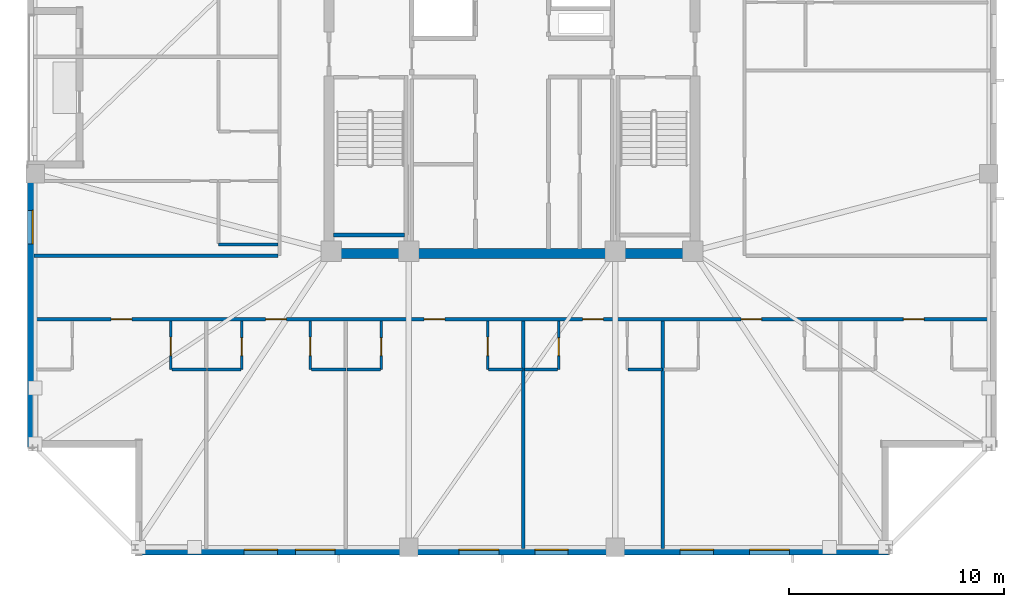
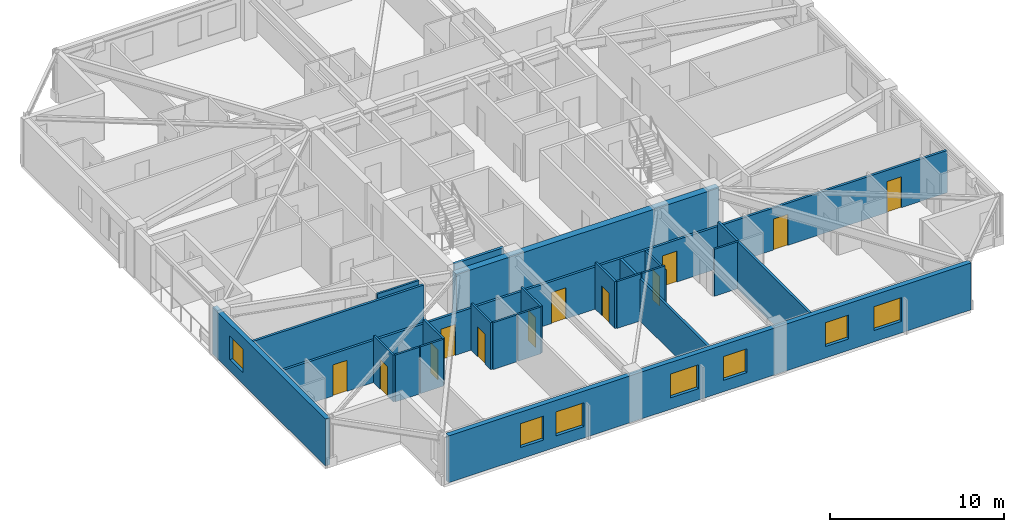
# One storey, part 7 of 17: 22 walls, 12 doors, 7 windows, 19 openings.
"""IFC4 building model written with IfcOpenShell, lengths in metres."""

from ifc_helpers import new_model, si_unit, direction, frame, frame_2d, origin, place, context, subcontext, project, spatial, rectangle, extrude, material, layer, layer_set, type_object, element, fill, save


model = new_model("IFC4")

# Units and contexts
model_context = context("Model", 3, precision=1e-05, world=origin(), true_north=direction((0.0, 1.0)))
body_context = subcontext(model_context, "Body", "Model", "MODEL_VIEW")
ifc_project = project(units=[si_unit("LENGTHUNIT", "METRE"), si_unit("AREAUNIT", "SQUARE_METRE"), si_unit("VOLUMEUNIT", "CUBIC_METRE"), si_unit("PLANEANGLEUNIT", "RADIAN"), si_unit("MASSUNIT", "GRAM", prefix="KILO")], contexts=[model_context])

# Site, building, storey
site_placement = place(None, origin())
site = spatial("IfcSite", under=ifc_project, at=site_placement, CompositionType="ELEMENT")
building_placement = place(site_placement, origin())
building = spatial("IfcBuilding", under=site, at=building_placement, Name="Cairnveth Concourse Tower", CompositionType="ELEMENT")
storey_placement = place(building_placement, frame((0.0, 0.0, 237.5)))
storey = spatial("IfcBuildingStorey", under=building, at=storey_placement, Name="L65", CompositionType="ELEMENT", Elevation=237.5)

# Wall, openings, doors
ifc_material_1 = material(Name="Gypsum Plasterboard Partition", Category="gypsum")
ifc_layer_1 = layer(ifc_material_1, 0.159912109375)
ifc_layer_set_1 = layer_set([ifc_layer_1], Name="Gypsum Plasterboard Partition")
wall_type_1 = type_object("IfcWallType", Name="ACOUSTIC PARTY WALL 180", PredefinedType="PARTITIONING", material=ifc_layer_set_1)
wall_1_placement = place(storey_placement, frame((29.804931640625, 27.4423828125, 0.0), z_axis=(0.0, 0.0, 1.0), x_axis=(1.0, 0.0, 0.0)))
wall_1 = element("IfcWall", 1, at=wall_1_placement, inside=storey, type_object=wall_type_1, Name="Interior Wall IW-L65-036", PredefinedType="PARTITIONING", context=body_context, shape_type="SweptSolid", body=[
    extrude(rectangle(XDim=44.39013671875, YDim=0.159912109375, at=frame_2d((22.195068359375, 0.0))), origin(), (0.0, 0.0, 1.0), 2.9580078125),
])
opening_1_placement = place(wall_1_placement, frame((3.574951171875, 0.0, 0.0)))
opening_1 = element("IfcOpeningElement", 2, at=opening_1_placement, cuts=wall_1, Name="Opening ID10", PredefinedType="OPENING", context=body_context, shape_type="SweptSolid", body=[
    extrude(rectangle(XDim=0.9599609375, YDim=2.179931640625, at=frame_2d((0.47998046875, 1.08984375))), frame((0.0, 0.08984375, 0.0), z_axis=(0.0, -1.0, 0.0), x_axis=(1.0, 0.0, 0.0)), (0.0, 0.0, 1.0), 0.179931640625),
])
opening_2_placement = place(wall_1_placement, frame((10.7548828125, 0.0, 0.0)))
opening_2 = element("IfcOpeningElement", 3, at=opening_2_placement, cuts=wall_1, Name="Opening ID10", PredefinedType="OPENING", context=body_context, shape_type="SweptSolid", body=[
    extrude(rectangle(XDim=0.9599609375, YDim=2.179931640625, at=frame_2d((0.47998046875, 1.08984375))), frame((0.0, 0.08984375, 0.0), z_axis=(0.0, -1.0, 0.0), x_axis=(1.0, 0.0, 0.0)), (0.0, 0.0, 1.0), 0.179931640625),
])
opening_3_placement = place(wall_1_placement, frame((18.114990234375, 0.0, 0.0)))
opening_3 = element("IfcOpeningElement", 4, at=opening_3_placement, cuts=wall_1, Name="Opening ID10", PredefinedType="OPENING", context=body_context, shape_type="SweptSolid", body=[
    extrude(rectangle(XDim=0.9599609375, YDim=2.179931640625, at=frame_2d((0.47998046875, 1.08984375))), frame((0.0, 0.08984375, 0.0), z_axis=(0.0, -1.0, 0.0), x_axis=(1.0, 0.0, 0.0)), (0.0, 0.0, 1.0), 0.179931640625),
])
opening_4_placement = place(wall_1_placement, frame((25.47509765625, 0.0, 0.0)))
opening_4 = element("IfcOpeningElement", 5, at=opening_4_placement, cuts=wall_1, Name="Opening ID10", PredefinedType="OPENING", context=body_context, shape_type="SweptSolid", body=[
    extrude(rectangle(XDim=0.9599609375, YDim=2.179931640625, at=frame_2d((0.47998046875, 1.08984375))), frame((0.0, 0.08984375, 0.0), z_axis=(0.0, -1.0, 0.0), x_axis=(1.0, 0.0, 0.0)), (0.0, 0.0, 1.0), 0.179931640625),
])
opening_5_placement = place(wall_1_placement, frame((32.8349609375, 0.0, 0.0)))
opening_5 = element("IfcOpeningElement", 6, at=opening_5_placement, cuts=wall_1, Name="Opening ID10", PredefinedType="OPENING", context=body_context, shape_type="SweptSolid", body=[
    extrude(rectangle(XDim=0.9599609375, YDim=2.179931640625, at=frame_2d((0.47998046875, 1.08984375))), frame((0.0, 0.08984375, 0.0), z_axis=(0.0, -1.0, 0.0), x_axis=(1.0, 0.0, 0.0)), (0.0, 0.0, 1.0), 0.179931640625),
])
opening_6_placement = place(wall_1_placement, frame((40.375, 0.0, 0.0)))
opening_6 = element("IfcOpeningElement", 7, at=opening_6_placement, cuts=wall_1, Name="Opening ID10", PredefinedType="OPENING", context=body_context, shape_type="SweptSolid", body=[
    extrude(rectangle(XDim=0.9599609375, YDim=2.179931640625, at=frame_2d((0.47998046875, 1.08984375))), frame((0.0, 0.08984375, 0.0), z_axis=(0.0, -1.0, 0.0), x_axis=(1.0, 0.0, 0.0)), (0.0, 0.0, 1.0), 0.179931640625),
])
ifc_material_2 = material(Name="Solid Core Hardwood Timber Leaf", Category="wood")
door_type_1 = type_object("IfcDoorType", Name="FLAT ENTRANCE DOOR 960X2150", OperationType="NOTDEFINED", PredefinedType="DOOR", material=ifc_material_2)
door_1_placement = place(opening_1_placement, origin())
door_1 = element("IfcDoor", 8, at=door_1_placement, inside=storey, type_object=door_type_1, Name="Studio L65STS1 Entrance Door", OperationType="SINGLE_SWING_LEFT", OverallHeight=2.179931640625, OverallWidth=0.9599609375, PredefinedType="DOOR", context=body_context, shape_type="SweptSolid", body=[
    extrude(rectangle(XDim=0.9599609375, YDim=2.179931640625, at=frame_2d((0.47998046875, 1.08984375))), frame((0.0, 0.02490234375, 0.0), z_axis=(0.0, -1.0, 0.0), x_axis=(1.0, 0.0, 0.0)), (0.0, 0.0, 1.0), 0.050048828125),
])
fill(opening_1, door_1)
door_2_placement = place(opening_2_placement, origin())
door_2 = element("IfcDoor", 9, at=door_2_placement, inside=storey, type_object=door_type_1, Name="Studio L65STS2 Entrance Door", OperationType="SINGLE_SWING_RIGHT", OverallHeight=2.179931640625, OverallWidth=0.9599609375, PredefinedType="DOOR", context=body_context, shape_type="SweptSolid", body=[
    extrude(rectangle(XDim=0.9599609375, YDim=2.179931640625, at=frame_2d((0.47998046875, 1.08984375))), frame((0.0, 0.02490234375, 0.0), z_axis=(0.0, -1.0, 0.0), x_axis=(1.0, 0.0, 0.0)), (0.0, 0.0, 1.0), 0.050048828125),
])
fill(opening_2, door_2)
door_3_placement = place(opening_3_placement, origin())
door_3 = element("IfcDoor", 10, at=door_3_placement, inside=storey, type_object=door_type_1, Name="Studio L65STS3 Entrance Door", OperationType="SINGLE_SWING_LEFT", OverallHeight=2.179931640625, OverallWidth=0.9599609375, PredefinedType="DOOR", context=body_context, shape_type="SweptSolid", body=[
    extrude(rectangle(XDim=0.9599609375, YDim=2.179931640625, at=frame_2d((0.47998046875, 1.08984375))), frame((0.0, 0.02490234375, 0.0), z_axis=(0.0, -1.0, 0.0), x_axis=(1.0, 0.0, 0.0)), (0.0, 0.0, 1.0), 0.050048828125),
])
fill(opening_3, door_3)
door_4_placement = place(opening_4_placement, origin())
door_4 = element("IfcDoor", 11, at=door_4_placement, inside=storey, type_object=door_type_1, Name="Studio L65STS4 Entrance Door", OperationType="SINGLE_SWING_RIGHT", OverallHeight=2.179931640625, OverallWidth=0.9599609375, PredefinedType="DOOR", context=body_context, shape_type="SweptSolid", body=[
    extrude(rectangle(XDim=0.9599609375, YDim=2.179931640625, at=frame_2d((0.47998046875, 1.08984375))), frame((0.0, 0.02490234375, 0.0), z_axis=(0.0, -1.0, 0.0), x_axis=(1.0, 0.0, 0.0)), (0.0, 0.0, 1.0), 0.050048828125),
])
fill(opening_4, door_4)
door_5_placement = place(opening_5_placement, origin())
door_5 = element("IfcDoor", 12, at=door_5_placement, inside=storey, type_object=door_type_1, Name="Studio L65STS5 Entrance Door", OperationType="SINGLE_SWING_LEFT", OverallHeight=2.179931640625, OverallWidth=0.9599609375, PredefinedType="DOOR", context=body_context, shape_type="SweptSolid", body=[
    extrude(rectangle(XDim=0.9599609375, YDim=2.179931640625, at=frame_2d((0.47998046875, 1.08984375))), frame((0.0, 0.02490234375, 0.0), z_axis=(0.0, -1.0, 0.0), x_axis=(1.0, 0.0, 0.0)), (0.0, 0.0, 1.0), 0.050048828125),
])
fill(opening_5, door_5)
door_6_placement = place(opening_6_placement, origin())
door_6 = element("IfcDoor", 13, at=door_6_placement, inside=storey, type_object=door_type_1, Name="Studio L65STS6 Entrance Door", OperationType="SINGLE_SWING_RIGHT", OverallHeight=2.179931640625, OverallWidth=0.9599609375, PredefinedType="DOOR", context=body_context, shape_type="SweptSolid", body=[
    extrude(rectangle(XDim=0.9599609375, YDim=2.179931640625, at=frame_2d((0.47998046875, 1.08984375))), frame((0.0, 0.02490234375, 0.0), z_axis=(0.0, -1.0, 0.0), x_axis=(1.0, 0.0, 0.0)), (0.0, 0.0, 1.0), 0.050048828125),
])
fill(opening_6, door_6)

# Walls
wall_2_placement = place(storey_placement, frame((29.804931640625, 30.39990234375, 0.0), z_axis=(0.0, 0.0, 1.0), x_axis=(1.0, 0.0, 0.0)))
element("IfcWall", 14, at=wall_2_placement, inside=storey, type_object=wall_type_1, Name="Interior Wall IW-L65-040", PredefinedType="PARTITIONING", context=body_context, shape_type="SweptSolid", body=[
    extrude(rectangle(XDim=11.330078125, YDim=0.159912109375, at=frame_2d((5.6650390625, 0.0))), origin(), (0.0, 0.0, 1.0), 3.2900390625),
])
wall_3_placement = place(storey_placement, frame((52.52001953125, 16.804931640625, 0.0), z_axis=(0.0, 0.0, 1.0), x_axis=(0.0, 1.0, 0.0)))
element("IfcWall", 15, at=wall_3_placement, inside=storey, type_object=wall_type_1, Name="Interior Wall IW-L65-058", PredefinedType="PARTITIONING", context=body_context, shape_type="SweptSolid", body=[
    extrude(rectangle(XDim=10.5576171875, YDim=0.159912109375, at=frame_2d((5.27880859375, 0.0))), origin(), (0.0, 0.0, 1.0), 2.9580078125),
])
wall_4_placement = place(storey_placement, frame((59.0, 16.804931640625, 0.0), z_axis=(0.0, 0.0, 1.0), x_axis=(0.0, 1.0, 0.0)))
element("IfcWall", 16, at=wall_4_placement, inside=storey, type_object=wall_type_1, Name="Interior Wall IW-L65-063", PredefinedType="PARTITIONING", context=body_context, shape_type="SweptSolid", body=[
    extrude(rectangle(XDim=10.5576171875, YDim=0.159912109375, at=frame_2d((5.27880859375, 0.0))), origin(), (0.0, 0.0, 1.0), 3.2900390625),
])
ifc_material_3 = material(Name="Concrete N65 (65 MPa)", Category="concrete")
ifc_layer_2 = layer(ifc_material_3, 0.449951171875)
ifc_layer_set_2 = layer_set([ifc_layer_2], Name="Concrete N65 (65 MPa)")
wall_type_2 = type_object("IfcWallType", Name="CORE SHEAR WALL 450", PredefinedType="SHEAR", material=ifc_layer_set_2)
wall_5_placement = place(storey_placement, frame((43.27490234375, 30.5, 0.0), z_axis=(0.0, 0.0, 1.0), x_axis=(1.0, 0.0, 0.0)))
element("IfcWall", 17, at=wall_5_placement, inside=storey, type_object=wall_type_2, Name="Core South Shear Wall L65", PredefinedType="SHEAR", context=body_context, shape_type="SweptSolid", body=[
    extrude(rectangle(XDim=17.4501953125, YDim=0.449951171875, at=frame_2d((8.72509765625, 0.0))), origin(), (0.0, 0.0, 1.0), 3.2900390625),
])
ifc_material_4 = material(Name="Concrete N50 (50 MPa)", Category="concrete")
ifc_layer_3 = layer(ifc_material_4, 0.179931640625)
ifc_layer_set_3 = layer_set([ifc_layer_3], Name="Concrete N50 (50 MPa)")
wall_type_3 = type_object("IfcWallType", Name="FIRE SHAFT WALL 180", PredefinedType="SOLIDWALL", material=ifc_layer_set_3)
wall_6_placement = place(storey_placement, frame((43.715087890625, 31.360107421875, 0.0), z_axis=(0.0, 0.0, 1.0), x_axis=(1.0, 0.0, 0.0)))
element("IfcWall", 18, at=wall_6_placement, inside=storey, type_object=wall_type_3, Name="Stair ST-1 Shaft Wall FAR L65", PredefinedType="SOLIDWALL", context=body_context, shape_type="SweptSolid", body=[
    extrude(rectangle(XDim=3.280029296875, YDim=0.179931640625, at=frame_2d((1.64013671875, 0.0))), origin(), (0.0, 0.0, 1.0), 3.2900390625),
])

# Wall, opening, door
ifc_layer_4 = layer(ifc_material_1, 0.1298828125)
ifc_layer_set_4 = layer_set([ifc_layer_4], Name="Gypsum Plasterboard Partition")
wall_type_4 = type_object("IfcWallType", Name="WET AREA PARTITION 140", PredefinedType="PLUMBINGWALL", material=ifc_layer_set_4)
wall_7_placement = place(storey_placement, frame((36.14990234375, 25.112548828125, 0.0), z_axis=(0.0, 0.0, 1.0), x_axis=(0.0, 1.0, 0.0)))
wall_7 = element("IfcWall", 19, at=wall_7_placement, inside=storey, type_object=wall_type_4, Name="Interior Wall IW-L65-046", PredefinedType="PLUMBINGWALL", context=body_context, shape_type="SweptSolid", body=[
    extrude(rectangle(XDim=2.25, YDim=0.1298828125, at=frame_2d((1.125, 0.0))), origin(), (0.0, 0.0, 1.0), 3.2900390625),
])
opening_7_placement = place(wall_7_placement, frame((0.64990234375, 0.0, 0.0)))
opening_7 = element("IfcOpeningElement", 20, at=opening_7_placement, cuts=wall_7, Name="Opening ID20", PredefinedType="OPENING", context=body_context, shape_type="SweptSolid", body=[
    extrude(rectangle(XDim=0.85009765625, YDim=2.10009765625, at=frame_2d((0.425048828125, 1.050048828125))), frame((0.0, 0.074951171875, 0.0), z_axis=(0.0, -1.0, 0.0), x_axis=(1.0, 0.0, 0.0)), (0.0, 0.0, 1.0), 0.14990234375),
])
door_type_2 = type_object("IfcDoorType", Name="INTERIOR SINGLE DOOR 850X2100", OperationType="NOTDEFINED", PredefinedType="DOOR", material=ifc_material_2)
door_7_placement = place(opening_7_placement, origin())
door_7 = element("IfcDoor", 21, at=door_7_placement, inside=storey, type_object=door_type_2, Name="L65STS1 Kitchen Door", OperationType="SINGLE_SWING_RIGHT", OverallHeight=2.10009765625, OverallWidth=0.85009765625, PredefinedType="DOOR", context=body_context, shape_type="SweptSolid", body=[
    extrude(rectangle(XDim=0.85009765625, YDim=2.10009765625, at=frame_2d((0.425048828125, 1.050048828125))), frame((0.0, 0.02490234375, 0.0), z_axis=(0.0, -1.0, 0.0), x_axis=(1.0, 0.0, 0.0)), (0.0, 0.0, 1.0), 0.050048828125),
])
fill(opening_7, door_7)

# Wall
wall_8_placement = place(storey_placement, frame((36.199951171875, 25.112548828125, 0.0), z_axis=(0.0, 0.0, 1.0), x_axis=(1.0, 0.0, 0.0)))
element("IfcWall", 22, at=wall_8_placement, inside=storey, type_object=wall_type_4, Name="Interior Wall IW-L65-047", PredefinedType="PLUMBINGWALL", context=body_context, shape_type="SweptSolid", body=[
    extrude(rectangle(XDim=1.60009765625, YDim=0.1298828125, at=frame_2d((0.800048828125, 0.0))), origin(), (0.0, 0.0, 1.0), 3.2900390625),
])

# Wall, opening, door
wall_9_placement = place(storey_placement, frame((39.449951171875, 25.112548828125, 0.0), z_axis=(0.0, 0.0, 1.0), x_axis=(0.0, 1.0, 0.0)))
wall_9 = element("IfcWall", 23, at=wall_9_placement, inside=storey, type_object=wall_type_4, Name="Interior Wall IW-L65-049", PredefinedType="PLUMBINGWALL", context=body_context, shape_type="SweptSolid", body=[
    extrude(rectangle(XDim=2.25, YDim=0.1298828125, at=frame_2d((1.125, 0.0))), origin(), (0.0, 0.0, 1.0), 3.2900390625),
])
opening_8_placement = place(wall_9_placement, frame((0.64990234375, 0.0, 0.0)))
opening_8 = element("IfcOpeningElement", 24, at=opening_8_placement, cuts=wall_9, Name="Opening ID22", PredefinedType="OPENING", context=body_context, shape_type="SweptSolid", body=[
    extrude(rectangle(XDim=0.820068359375, YDim=2.10009765625, at=frame_2d((0.41015625, 1.050048828125))), frame((0.0, 0.074951171875, 0.0), z_axis=(0.0, -1.0, 0.0), x_axis=(1.0, 0.0, 0.0)), (0.0, 0.0, 1.0), 0.14990234375),
])
door_type_3 = type_object("IfcDoorType", Name="INTERIOR WC DOOR 820X2100", OperationType="NOTDEFINED", PredefinedType="DOOR", material=ifc_material_2)
door_8_placement = place(opening_8_placement, origin())
door_8 = element("IfcDoor", 25, at=door_8_placement, inside=storey, type_object=door_type_3, Name="L65STS2 Bathroom Door", OperationType="SINGLE_SWING_RIGHT", OverallHeight=2.10009765625, OverallWidth=0.820068359375, PredefinedType="DOOR", context=body_context, shape_type="SweptSolid", body=[
    extrude(rectangle(XDim=0.820068359375, YDim=2.10009765625, at=frame_2d((0.41015625, 1.050048828125))), frame((0.0, 0.02490234375, 0.0), z_axis=(0.0, -1.0, 0.0), x_axis=(1.0, 0.0, 0.0)), (0.0, 0.0, 1.0), 0.050048828125),
])
fill(opening_8, door_8)

# Wall
wall_10_placement = place(storey_placement, frame((37.864990234375, 25.112548828125, 0.0), z_axis=(0.0, 0.0, 1.0), x_axis=(1.0, 0.0, 0.0)))
element("IfcWall", 26, at=wall_10_placement, inside=storey, type_object=wall_type_4, Name="Interior Wall IW-L65-050", PredefinedType="PLUMBINGWALL", context=body_context, shape_type="SweptSolid", body=[
    extrude(rectangle(XDim=1.534912109375, YDim=0.1298828125, at=frame_2d((0.767578125, 0.0))), origin(), (0.0, 0.0, 1.0), 3.2900390625),
])

# Wall, opening, door
wall_11_placement = place(storey_placement, frame((42.6298828125, 25.112548828125, 0.0), z_axis=(0.0, 0.0, 1.0), x_axis=(0.0, 1.0, 0.0)))
wall_11 = element("IfcWall", 27, at=wall_11_placement, inside=storey, type_object=wall_type_4, Name="Interior Wall IW-L65-051", PredefinedType="PLUMBINGWALL", context=body_context, shape_type="SweptSolid", body=[
    extrude(rectangle(XDim=2.25, YDim=0.1298828125, at=frame_2d((1.125, 0.0))), origin(), (0.0, 0.0, 1.0), 3.2900390625),
])
opening_9_placement = place(wall_11_placement, frame((0.64990234375, 0.0, 0.0)))
opening_9 = element("IfcOpeningElement", 28, at=opening_9_placement, cuts=wall_11, Name="Opening ID20", PredefinedType="OPENING", context=body_context, shape_type="SweptSolid", body=[
    extrude(rectangle(XDim=0.85009765625, YDim=2.10009765625, at=frame_2d((0.425048828125, 1.050048828125))), frame((0.0, 0.074951171875, 0.0), z_axis=(0.0, -1.0, 0.0), x_axis=(1.0, 0.0, 0.0)), (0.0, 0.0, 1.0), 0.14990234375),
])
door_9_placement = place(opening_9_placement, origin())
door_9 = element("IfcDoor", 29, at=door_9_placement, inside=storey, type_object=door_type_2, Name="L65STS2 Kitchen Door", OperationType="SINGLE_SWING_LEFT", OverallHeight=2.10009765625, OverallWidth=0.85009765625, PredefinedType="DOOR", context=body_context, shape_type="SweptSolid", body=[
    extrude(rectangle(XDim=0.85009765625, YDim=2.10009765625, at=frame_2d((0.425048828125, 1.050048828125))), frame((0.0, 0.02490234375, 0.0), z_axis=(0.0, -1.0, 0.0), x_axis=(1.0, 0.0, 0.0)), (0.0, 0.0, 1.0), 0.050048828125),
])
fill(opening_9, door_9)

# Wall
wall_12_placement = place(storey_placement, frame((42.679931640625, 25.112548828125, 0.0), z_axis=(0.0, 0.0, 1.0), x_axis=(1.0, 0.0, 0.0)))
element("IfcWall", 30, at=wall_12_placement, inside=storey, type_object=wall_type_4, Name="Interior Wall IW-L65-052", PredefinedType="PLUMBINGWALL", context=body_context, shape_type="SweptSolid", body=[
    extrude(rectangle(XDim=1.60009765625, YDim=0.1298828125, at=frame_2d((0.800048828125, 0.0))), origin(), (0.0, 0.0, 1.0), 3.2900390625),
])

# Wall, opening, door
wall_13_placement = place(storey_placement, frame((45.929931640625, 25.112548828125, 0.0), z_axis=(0.0, 0.0, 1.0), x_axis=(0.0, 1.0, 0.0)))
wall_13 = element("IfcWall", 31, at=wall_13_placement, inside=storey, type_object=wall_type_4, Name="Interior Wall IW-L65-054", PredefinedType="PLUMBINGWALL", context=body_context, shape_type="SweptSolid", body=[
    extrude(rectangle(XDim=2.25, YDim=0.1298828125, at=frame_2d((1.125, 0.0))), origin(), (0.0, 0.0, 1.0), 3.2900390625),
])
opening_10_placement = place(wall_13_placement, frame((0.64990234375, 0.0, 0.0)))
opening_10 = element("IfcOpeningElement", 32, at=opening_10_placement, cuts=wall_13, Name="Opening ID22", PredefinedType="OPENING", context=body_context, shape_type="SweptSolid", body=[
    extrude(rectangle(XDim=0.820068359375, YDim=2.10009765625, at=frame_2d((0.41015625, 1.050048828125))), frame((0.0, 0.074951171875, 0.0), z_axis=(0.0, -1.0, 0.0), x_axis=(1.0, 0.0, 0.0)), (0.0, 0.0, 1.0), 0.14990234375),
])
door_10_placement = place(opening_10_placement, origin())
door_10 = element("IfcDoor", 33, at=door_10_placement, inside=storey, type_object=door_type_3, Name="L65STS3 Bathroom Door", OperationType="SINGLE_SWING_LEFT", OverallHeight=2.10009765625, OverallWidth=0.820068359375, PredefinedType="DOOR", context=body_context, shape_type="SweptSolid", body=[
    extrude(rectangle(XDim=0.820068359375, YDim=2.10009765625, at=frame_2d((0.41015625, 1.050048828125))), frame((0.0, 0.02490234375, 0.0), z_axis=(0.0, -1.0, 0.0), x_axis=(1.0, 0.0, 0.0)), (0.0, 0.0, 1.0), 0.050048828125),
])
fill(opening_10, door_10)

# Wall
wall_14_placement = place(storey_placement, frame((44.344970703125, 25.112548828125, 0.0), z_axis=(0.0, 0.0, 1.0), x_axis=(1.0, 0.0, 0.0)))
element("IfcWall", 34, at=wall_14_placement, inside=storey, type_object=wall_type_4, Name="Interior Wall IW-L65-055", PredefinedType="PLUMBINGWALL", context=body_context, shape_type="SweptSolid", body=[
    extrude(rectangle(XDim=1.534912109375, YDim=0.1298828125, at=frame_2d((0.767578125, 0.0))), origin(), (0.0, 0.0, 1.0), 3.2900390625),
])

# Wall, opening, door
wall_15_placement = place(storey_placement, frame((50.8701171875, 25.112548828125, 0.0), z_axis=(0.0, 0.0, 1.0), x_axis=(0.0, 1.0, 0.0)))
wall_15 = element("IfcWall", 35, at=wall_15_placement, inside=storey, type_object=wall_type_4, Name="Interior Wall IW-L65-056", PredefinedType="PLUMBINGWALL", context=body_context, shape_type="SweptSolid", body=[
    extrude(rectangle(XDim=2.25, YDim=0.1298828125, at=frame_2d((1.125, 0.0))), origin(), (0.0, 0.0, 1.0), 3.2900390625),
])
opening_11_placement = place(wall_15_placement, frame((0.64990234375, 0.0, 0.0)))
opening_11 = element("IfcOpeningElement", 36, at=opening_11_placement, cuts=wall_15, Name="Opening ID20", PredefinedType="OPENING", context=body_context, shape_type="SweptSolid", body=[
    extrude(rectangle(XDim=0.85009765625, YDim=2.10009765625, at=frame_2d((0.425048828125, 1.050048828125))), frame((0.0, 0.074951171875, 0.0), z_axis=(0.0, -1.0, 0.0), x_axis=(1.0, 0.0, 0.0)), (0.0, 0.0, 1.0), 0.14990234375),
])
door_11_placement = place(opening_11_placement, origin())
door_11 = element("IfcDoor", 37, at=door_11_placement, inside=storey, type_object=door_type_2, Name="L65STS3 Kitchen Door", OperationType="SINGLE_SWING_RIGHT", OverallHeight=2.10009765625, OverallWidth=0.85009765625, PredefinedType="DOOR", context=body_context, shape_type="SweptSolid", body=[
    extrude(rectangle(XDim=0.85009765625, YDim=2.10009765625, at=frame_2d((0.425048828125, 1.050048828125))), frame((0.0, 0.02490234375, 0.0), z_axis=(0.0, -1.0, 0.0), x_axis=(1.0, 0.0, 0.0)), (0.0, 0.0, 1.0), 0.050048828125),
])
fill(opening_11, door_11)

# Wall
wall_16_placement = place(storey_placement, frame((50.919921875, 25.112548828125, 0.0), z_axis=(0.0, 0.0, 1.0), x_axis=(1.0, 0.0, 0.0)))
element("IfcWall", 38, at=wall_16_placement, inside=storey, type_object=wall_type_4, Name="Interior Wall IW-L65-057", PredefinedType="PLUMBINGWALL", context=body_context, shape_type="SweptSolid", body=[
    extrude(rectangle(XDim=1.60009765625, YDim=0.1298828125, at=frame_2d((0.800048828125, 0.0))), origin(), (0.0, 0.0, 1.0), 3.2900390625),
])

# Wall, opening, door
wall_17_placement = place(storey_placement, frame((54.169921875, 25.112548828125, 0.0), z_axis=(0.0, 0.0, 1.0), x_axis=(0.0, 1.0, 0.0)))
wall_17 = element("IfcWall", 39, at=wall_17_placement, inside=storey, type_object=wall_type_4, Name="Interior Wall IW-L65-059", PredefinedType="PLUMBINGWALL", context=body_context, shape_type="SweptSolid", body=[
    extrude(rectangle(XDim=2.25, YDim=0.1298828125, at=frame_2d((1.125, 0.0))), origin(), (0.0, 0.0, 1.0), 2.9580078125),
])
opening_12_placement = place(wall_17_placement, frame((0.64990234375, 0.0, 0.0)))
opening_12 = element("IfcOpeningElement", 40, at=opening_12_placement, cuts=wall_17, Name="Opening ID22", PredefinedType="OPENING", context=body_context, shape_type="SweptSolid", body=[
    extrude(rectangle(XDim=0.820068359375, YDim=2.10009765625, at=frame_2d((0.41015625, 1.050048828125))), frame((0.0, 0.074951171875, 0.0), z_axis=(0.0, -1.0, 0.0), x_axis=(1.0, 0.0, 0.0)), (0.0, 0.0, 1.0), 0.14990234375),
])
door_12_placement = place(opening_12_placement, origin())
door_12 = element("IfcDoor", 41, at=door_12_placement, inside=storey, type_object=door_type_3, Name="L65STS4 Bathroom Door", OperationType="SINGLE_SWING_RIGHT", OverallHeight=2.10009765625, OverallWidth=0.820068359375, PredefinedType="DOOR", context=body_context, shape_type="SweptSolid", body=[
    extrude(rectangle(XDim=0.820068359375, YDim=2.10009765625, at=frame_2d((0.41015625, 1.050048828125))), frame((0.0, 0.02490234375, 0.0), z_axis=(0.0, -1.0, 0.0), x_axis=(1.0, 0.0, 0.0)), (0.0, 0.0, 1.0), 0.050048828125),
])
fill(opening_12, door_12)

# Walls
wall_18_placement = place(storey_placement, frame((52.5849609375, 25.112548828125, 0.0), z_axis=(0.0, 0.0, 1.0), x_axis=(1.0, 0.0, 0.0)))
element("IfcWall", 42, at=wall_18_placement, inside=storey, type_object=wall_type_4, Name="Interior Wall IW-L65-060", PredefinedType="PLUMBINGWALL", context=body_context, shape_type="SweptSolid", body=[
    extrude(rectangle(XDim=1.53515625, YDim=0.1298828125, at=frame_2d((0.767578125, 0.0))), origin(), (0.0, 0.0, 1.0), 3.2900390625),
])
wall_19_placement = place(storey_placement, frame((57.39990234375, 25.112548828125, 0.0), z_axis=(0.0, 0.0, 1.0), x_axis=(1.0, 0.0, 0.0)))
element("IfcWall", 43, at=wall_19_placement, inside=storey, type_object=wall_type_4, Name="Interior Wall IW-L65-062", PredefinedType="PLUMBINGWALL", context=body_context, shape_type="SweptSolid", body=[
    extrude(rectangle(XDim=1.60009765625, YDim=0.1298828125, at=frame_2d((0.800048828125, 0.0))), origin(), (0.0, 0.0, 1.0), 3.2900390625),
])
wall_20_placement = place(storey_placement, frame((38.3701171875, 30.925048828125, 0.0), z_axis=(0.0, 0.0, 1.0), x_axis=(1.0, 0.0, 0.0)))
element("IfcWall", 44, at=wall_20_placement, inside=storey, type_object=wall_type_4, Name="Interior Wall IW-L65-098", PredefinedType="PLUMBINGWALL", context=body_context, shape_type="SweptSolid", body=[
    extrude(rectangle(XDim=2.75, YDim=0.1298828125, at=frame_2d((1.375, 0.0))), origin(), (0.0, 0.0, 1.0), 3.2900390625),
])

# Wall, openings, windows
ifc_material_5 = material(Name="Melbourne Buff Fired Clay Brick Masonry", Category="masonry")
ifc_layer_5 = layer(ifc_material_5, 0.320068359375)
ifc_layer_set_5 = layer_set([ifc_layer_5], Name="Melbourne Buff Fired Clay Brick Masonry")
wall_type_5 = type_object("IfcWallType", Name="ZONE 3 BRICK PIER SPANDREL WALL 320", PredefinedType="SOLIDWALL", material=ifc_layer_set_5)
wall_21_placement = place(storey_placement, frame((69.5, 16.659912109375, 0.0), z_axis=(0.0, 0.0, 1.0), x_axis=(-1.0, 0.0, 0.0)))
wall_21 = element("IfcWall", 45, at=wall_21_placement, inside=storey, type_object=wall_type_5, Name="Exterior Wall EW-L65-S09", PredefinedType="SOLIDWALL", context=body_context, shape_type="SweptSolid", body=[
    extrude(rectangle(XDim=34.701904296875, YDim=0.320068359375, at=frame_2d((17.35107421875, 0.0))), origin(), (0.0, 0.0, 1.0), 3.2900390625),
])
opening_13_placement = place(wall_21_placement, frame((4.612548828125, 0.0, 0.800048828125)))
opening_13 = element("IfcOpeningElement", 46, at=opening_13_placement, cuts=wall_21, Name="Opening W08", PredefinedType="OPENING", context=body_context, shape_type="SweptSolid", body=[
    extrude(rectangle(XDim=1.85009765625, YDim=1.677978515625, at=frame_2d((0.925048828125, 0.8388671875))), frame((0.0, 0.169921875, 0.0), z_axis=(0.0, -1.0, 0.0), x_axis=(1.0, 0.0, 0.0)), (0.0, 0.0, 1.0), 0.340087890625),
])
opening_14_placement = place(wall_21_placement, frame((8.137939453125, 0.0, 0.800048828125)))
opening_14 = element("IfcOpeningElement", 47, at=opening_14_placement, cuts=wall_21, Name="Opening W07", PredefinedType="OPENING", context=body_context, shape_type="SweptSolid", body=[
    extrude(rectangle(XDim=1.550048828125, YDim=1.677978515625, at=frame_2d((0.77490234375, 0.8388671875))), frame((0.0, 0.169921875, 0.0), z_axis=(0.0, -1.0, 0.0), x_axis=(1.0, 0.0, 0.0)), (0.0, 0.0, 1.0), 0.340087890625),
])
opening_15_placement = place(wall_21_placement, frame((14.888427734375, 0.0, 0.800048828125)))
opening_15 = element("IfcOpeningElement", 48, at=opening_15_placement, cuts=wall_21, Name="Opening W07", PredefinedType="OPENING", context=body_context, shape_type="SweptSolid", body=[
    extrude(rectangle(XDim=1.550048828125, YDim=1.677978515625, at=frame_2d((0.77490234375, 0.8388671875))), frame((0.0, 0.169921875, 0.0), z_axis=(0.0, -1.0, 0.0), x_axis=(1.0, 0.0, 0.0)), (0.0, 0.0, 1.0), 0.340087890625),
])
opening_16_placement = place(wall_21_placement, frame((18.113525390625, 0.0, 0.800048828125)))
opening_16 = element("IfcOpeningElement", 49, at=opening_16_placement, cuts=wall_21, Name="Opening W08", PredefinedType="OPENING", context=body_context, shape_type="SweptSolid", body=[
    extrude(rectangle(XDim=1.85009765625, YDim=1.677978515625, at=frame_2d((0.925048828125, 0.8388671875))), frame((0.0, 0.169921875, 0.0), z_axis=(0.0, -1.0, 0.0), x_axis=(1.0, 0.0, 0.0)), (0.0, 0.0, 1.0), 0.340087890625),
])
opening_17_placement = place(wall_21_placement, frame((25.714111328125, 0.0, 0.800048828125)))
opening_17 = element("IfcOpeningElement", 50, at=opening_17_placement, cuts=wall_21, Name="Opening W08", PredefinedType="OPENING", context=body_context, shape_type="SweptSolid", body=[
    extrude(rectangle(XDim=1.85009765625, YDim=1.677978515625, at=frame_2d((0.925048828125, 0.8388671875))), frame((0.0, 0.169921875, 0.0), z_axis=(0.0, -1.0, 0.0), x_axis=(1.0, 0.0, 0.0)), (0.0, 0.0, 1.0), 0.340087890625),
])
opening_18_placement = place(wall_21_placement, frame((28.389404296875, 0.0, 0.800048828125)))
opening_18 = element("IfcOpeningElement", 51, at=opening_18_placement, cuts=wall_21, Name="Opening W07", PredefinedType="OPENING", context=body_context, shape_type="SweptSolid", body=[
    extrude(rectangle(XDim=1.550048828125, YDim=1.677978515625, at=frame_2d((0.77490234375, 0.8388671875))), frame((0.0, 0.169921875, 0.0), z_axis=(0.0, -1.0, 0.0), x_axis=(1.0, 0.0, 0.0)), (0.0, 0.0, 1.0), 0.340087890625),
])
ifc_material_6 = material(Name="Double Glazed Low-E Clear Glass", Category="glass")
window_type_1 = type_object("IfcWindowType", Name="DEEP-SET APARTMENT LIVING WINDOW 1850X1850", PartitioningType="DOUBLE_PANEL_VERTICAL", PredefinedType="WINDOW", material=ifc_material_6)
window_1_placement = place(opening_13_placement, origin())
window_1 = element("IfcWindow", 52, at=window_1_placement, inside=storey, type_object=window_type_1, Name="Gothic Lancet Window L65-9-1", OverallHeight=1.677978515625, OverallWidth=1.85009765625, PartitioningType="SINGLE_PANEL", PredefinedType="WINDOW", context=body_context, shape_type="SweptSolid", body=[
    extrude(rectangle(XDim=1.85009765625, YDim=1.677978515625, at=frame_2d((0.925048828125, 0.8388671875))), frame((0.0, -0.050048828125, 0.0), z_axis=(0.0, -1.0, 0.0), x_axis=(1.0, 0.0, 0.0)), (0.0, 0.0, 1.0), 0.06005859375),
])
fill(opening_13, window_1)
window_2_placement = place(opening_16_placement, origin())
window_2 = element("IfcWindow", 53, at=window_2_placement, inside=storey, type_object=window_type_1, Name="Gothic Lancet Window L65-9-5", OverallHeight=1.677978515625, OverallWidth=1.85009765625, PartitioningType="SINGLE_PANEL", PredefinedType="WINDOW", context=body_context, shape_type="SweptSolid", body=[
    extrude(rectangle(XDim=1.85009765625, YDim=1.677978515625, at=frame_2d((0.925048828125, 0.8388671875))), frame((0.0, -0.050048828125, 0.0), z_axis=(0.0, -1.0, 0.0), x_axis=(1.0, 0.0, 0.0)), (0.0, 0.0, 1.0), 0.06005859375),
])
fill(opening_16, window_2)
window_3_placement = place(opening_17_placement, origin())
window_3 = element("IfcWindow", 54, at=window_3_placement, inside=storey, type_object=window_type_1, Name="Gothic Lancet Window L65-9-7", OverallHeight=1.677978515625, OverallWidth=1.85009765625, PartitioningType="SINGLE_PANEL", PredefinedType="WINDOW", context=body_context, shape_type="SweptSolid", body=[
    extrude(rectangle(XDim=1.85009765625, YDim=1.677978515625, at=frame_2d((0.925048828125, 0.8388671875))), frame((0.0, -0.050048828125, 0.0), z_axis=(0.0, -1.0, 0.0), x_axis=(1.0, 0.0, 0.0)), (0.0, 0.0, 1.0), 0.06005859375),
])
fill(opening_17, window_3)
window_type_2 = type_object("IfcWindowType", Name="DEEP-SET APARTMENT WINDOW 1550X1800", PartitioningType="DOUBLE_PANEL_VERTICAL", PredefinedType="WINDOW", material=ifc_material_6)
window_4_placement = place(opening_14_placement, origin())
window_4 = element("IfcWindow", 55, at=window_4_placement, inside=storey, type_object=window_type_2, Name="Gothic Lancet Window L65-9-2", OverallHeight=1.677978515625, OverallWidth=1.550048828125, PartitioningType="SINGLE_PANEL", PredefinedType="WINDOW", context=body_context, shape_type="SweptSolid", body=[
    extrude(rectangle(XDim=1.550048828125, YDim=1.677978515625, at=frame_2d((0.77490234375, 0.8388671875))), frame((0.0, -0.050048828125, 0.0), z_axis=(0.0, -1.0, 0.0), x_axis=(1.0, 0.0, 0.0)), (0.0, 0.0, 1.0), 0.06005859375),
])
fill(opening_14, window_4)
window_5_placement = place(opening_15_placement, origin())
window_5 = element("IfcWindow", 56, at=window_5_placement, inside=storey, type_object=window_type_2, Name="Gothic Lancet Window L65-9-4", OverallHeight=1.677978515625, OverallWidth=1.550048828125, PartitioningType="SINGLE_PANEL", PredefinedType="WINDOW", context=body_context, shape_type="SweptSolid", body=[
    extrude(rectangle(XDim=1.550048828125, YDim=1.677978515625, at=frame_2d((0.77490234375, 0.8388671875))), frame((0.0, -0.050048828125, 0.0), z_axis=(0.0, -1.0, 0.0), x_axis=(1.0, 0.0, 0.0)), (0.0, 0.0, 1.0), 0.06005859375),
])
fill(opening_15, window_5)
window_6_placement = place(opening_18_placement, origin())
window_6 = element("IfcWindow", 57, at=window_6_placement, inside=storey, type_object=window_type_2, Name="Gothic Lancet Window L65-9-8", OverallHeight=1.677978515625, OverallWidth=1.550048828125, PartitioningType="SINGLE_PANEL", PredefinedType="WINDOW", context=body_context, shape_type="SweptSolid", body=[
    extrude(rectangle(XDim=1.550048828125, YDim=1.677978515625, at=frame_2d((0.77490234375, 0.8388671875))), frame((0.0, -0.050048828125, 0.0), z_axis=(0.0, -1.0, 0.0), x_axis=(1.0, 0.0, 0.0)), (0.0, 0.0, 1.0), 0.06005859375),
])
fill(opening_18, window_6)

# Wall, opening, window
wall_22_placement = place(storey_placement, frame((29.659912109375, 21.5, 0.0), z_axis=(0.0, 0.0, 1.0), x_axis=(0.0, 1.0, 0.0)))
wall_22 = element("IfcWall", 58, at=wall_22_placement, inside=storey, type_object=wall_type_5, Name="Exterior Wall EW-L65-S12", PredefinedType="SOLIDWALL", context=body_context, shape_type="SweptSolid", body=[
    extrude(rectangle(XDim=13.001953125, YDim=0.320068359375, at=frame_2d((6.5009765625, 0.0))), origin(), (0.0, 0.0, 1.0), 3.2900390625),
])
opening_19_placement = place(wall_22_placement, frame((9.451416015625, 0.0, 0.800048828125)))
opening_19 = element("IfcOpeningElement", 59, at=opening_19_placement, cuts=wall_22, Name="Opening W07", PredefinedType="OPENING", context=body_context, shape_type="SweptSolid", body=[
    extrude(rectangle(XDim=1.550048828125, YDim=1.677978515625, at=frame_2d((0.77490234375, 0.8388671875))), frame((0.0, 0.169921875, 0.0), z_axis=(0.0, -1.0, 0.0), x_axis=(1.0, 0.0, 0.0)), (0.0, 0.0, 1.0), 0.340087890625),
])
window_7_placement = place(opening_19_placement, origin())
window_7 = element("IfcWindow", 60, at=window_7_placement, inside=storey, type_object=window_type_2, Name="Gothic Lancet Window L65-12-2", OverallHeight=1.677978515625, OverallWidth=1.550048828125, PartitioningType="SINGLE_PANEL", PredefinedType="WINDOW", context=body_context, shape_type="SweptSolid", body=[
    extrude(rectangle(XDim=1.550048828125, YDim=1.677978515625, at=frame_2d((0.77490234375, 0.8388671875))), frame((0.0, -0.050048828125, 0.0), z_axis=(0.0, -1.0, 0.0), x_axis=(1.0, 0.0, 0.0)), (0.0, 0.0, 1.0), 0.06005859375),
])
fill(opening_19, window_7)

save(model, "model.ifc")
